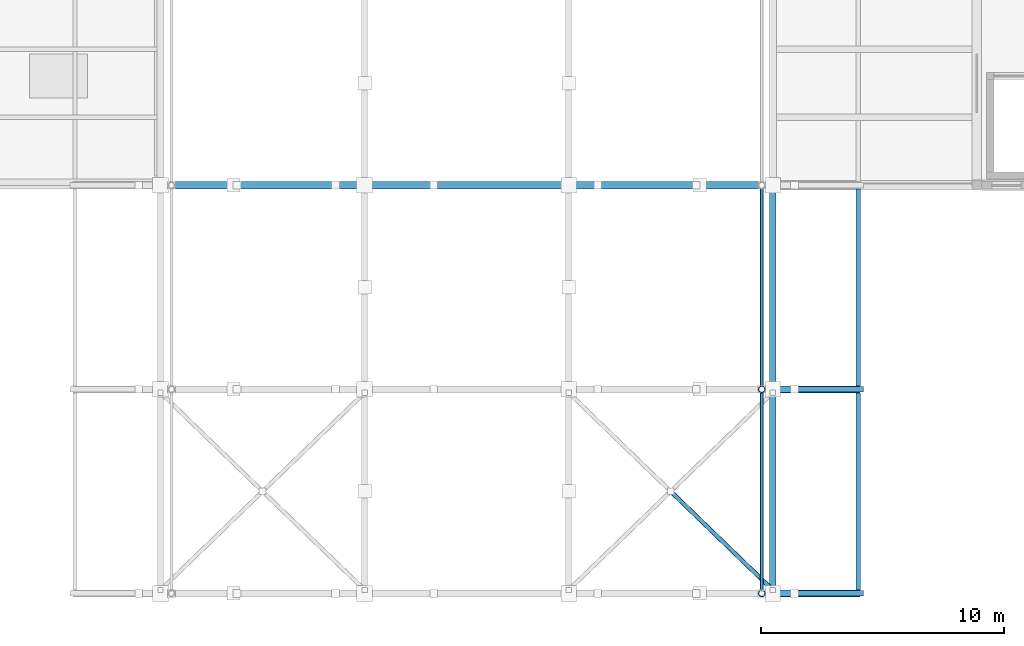
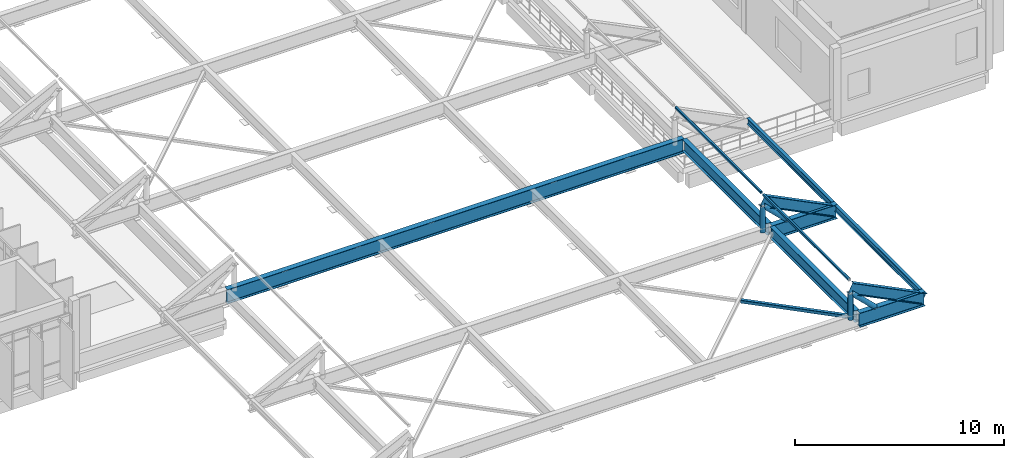
# One storey, part 9 of 41: 9 beams, 7 members.
"""IFC4 building model written with IfcOpenShell, lengths in metres."""

from ifc_helpers import new_model, si_unit, direction, frame, origin, origin_2d, place, context, subcontext, project, spatial, hollow_rectangle, hollow_circle, i_section, extrude, material, material_profile, profile_set, type_object, element, save


model = new_model("IFC4")

# Units and contexts
model_context = context("Model", 3, precision=1e-05, world=origin(), true_north=direction((0.0, 1.0)))
body_context = subcontext(model_context, "Body", "Model", "MODEL_VIEW")
ifc_project = project(units=[si_unit("LENGTHUNIT", "METRE"), si_unit("AREAUNIT", "SQUARE_METRE"), si_unit("VOLUMEUNIT", "CUBIC_METRE"), si_unit("PLANEANGLEUNIT", "RADIAN"), si_unit("MASSUNIT", "GRAM", prefix="KILO")], contexts=[model_context])

# Site, building, storey
site_placement = place(None, origin())
site = spatial("IfcSite", under=ifc_project, at=site_placement, CompositionType="ELEMENT")
building_placement = place(site_placement, origin())
building = spatial("IfcBuilding", under=site, at=building_placement, Name="Vireocrest Preparatory School", CompositionType="ELEMENT")
storey_placement = place(building_placement, frame((0.0, 0.0, 21.60009765625)))
storey = spatial("IfcBuildingStorey", under=building, at=storey_placement, Name="L05", CompositionType="ELEMENT", Elevation=21.60009765625)

# Beams
ifc_material_1 = material(Name="Structural steel ASTM A992 Grade 50", Category="steel")
ifc_material_profile_1 = material_profile(ifc_material_1, i_section(OverallWidth=0.25390625, OverallDepth=0.68408203125, WebThickness=0.012451171875, FlangeThickness=0.018798828125, FilletRadius=0.01806640625, at=origin_2d()), Name="W27X94")
ifc_profile_set_1 = profile_set([ifc_material_profile_1], Name="Structural steel ASTM A992 Grade 50")
beam_type_1 = type_object("IfcBeamType", Name="Bridge Primary Steel Girder W27X94", PredefinedType="BEAM", material=ifc_profile_set_1)
for number, where, z_axis, x_axis, name in (
    (1, (92.39990234375, 27.14404296875, 1.492919921875), (0.0, 1.0, 0.0), (-1.0, 0.0, 0.0), "Canopy Longitudinal Beam EO-1"),
    (2, (92.39990234375, 35.5439453125, 1.492919921875), (0.0, 1.0, 0.0), (-1.0, 0.0, 0.0), "Canopy Longitudinal Beam EO-2"),
):
    element("IfcBeam", number, at=place(storey_placement, frame(where, z_axis=z_axis, x_axis=x_axis)), inside=storey, type_object=beam_type_1, Name=name, PredefinedType="BEAM", context=body_context, shape_type="SweptSolid", body=[
        extrude(i_section(OverallWidth=0.25390625, OverallDepth=0.68408203125, WebThickness=0.012451171875, FlangeThickness=0.018798828125, FilletRadius=0.01806640625, at=origin_2d()), origin(), (0.0, 0.0, 1.0), 8.112060546875),
    ])

# Members
ifc_material_2 = material(Name="Painted white steel ASTM A500 Grade C", Category="steel")
ifc_material_profile_2 = material_profile(ifc_material_2, hollow_rectangle(XDim=0.126953125, YDim=0.126953125, WallThickness=0.0087890625, InnerFilletRadius=0.0087890625, OuterFilletRadius=0.017822265625, at=origin_2d()), Name="HSS5X5X3/8")
ifc_profile_set_2 = profile_set([ifc_material_profile_2], Name="Painted white steel ASTM A500 Grade C")
member_type_1 = type_object("IfcMemberType", Name="Canopy Glass Steel Purlin HSS5X5X3/8", PredefinedType="PURLIN", material=ifc_profile_set_2)
for number, where, z_axis, x_axis, name in (
    (3, (91.949951171875, 27.110107421875, 3.7919921875), (0.0, 1.0, 0.0), (-1.0, 0.0, 0.0), "Canopy Glass Purlin PR2-1-8"),
    (4, (91.949951171875, 35.510009765625, 3.7919921875), (0.0, 1.0, 0.0), (-1.0, 0.0, 0.0), "Canopy Glass Purlin PR2-2-8"),
):
    element("IfcMember", number, at=place(storey_placement, frame(where, z_axis=z_axis, x_axis=x_axis)), inside=storey, type_object=member_type_1, Name=name, PredefinedType="PURLIN", context=body_context, shape_type="SweptSolid", body=[
        extrude(hollow_rectangle(XDim=0.126953125, YDim=0.126953125, WallThickness=0.0087890625, InnerFilletRadius=0.0087890625, OuterFilletRadius=0.017822265625, at=origin_2d()), origin(), (0.0, 0.0, 1.0), 8.179931640625),
    ])
ifc_material_profile_3 = material_profile(ifc_material_2, hollow_rectangle(XDim=0.177734375, YDim=0.177734375, WallThickness=0.0087890625, InnerFilletRadius=0.0087890625, OuterFilletRadius=0.017822265625, at=origin_2d()), Name="HSS7X7X3/8")
ifc_profile_set_3 = profile_set([ifc_material_profile_3], Name="Painted white steel ASTM A500 Grade C")
member_type_2 = type_object("IfcMemberType", Name="Canopy Plane Wind Brace HSS7X7X3/8", PredefinedType="BRACE", material=ifc_profile_set_3)
member_1_placement = place(storey_placement, frame((88.286376953125, 31.11669921875, 1.41748046875), z_axis=(0.71895354767, -0.695058124399, 0.0), x_axis=(0.695058124399, 0.71895354767, 0.0)))
element("IfcMember", 5, at=member_1_placement, inside=storey, type_object=member_type_2, Name="Canopy Split Wind X-Brace BR2-1-E-2", PredefinedType="BRACE", context=body_context, shape_type="SweptSolid", body=[
    extrude(hollow_rectangle(XDim=0.177734375, YDim=0.177734375, WallThickness=0.0087890625, InnerFilletRadius=0.0087890625, OuterFilletRadius=0.017822265625, at=origin_2d()), origin(), (0.0, 0.0, 1.0), 5.721435546875),
])

# Beams
ifc_material_profile_4 = material_profile(ifc_material_1, i_section(OverallWidth=0.2919921875, OverallDepth=0.8349609375, WebThickness=0.013916015625, FlangeThickness=0.018798828125, FilletRadius=0.02001953125, at=origin_2d()), Name="W33X118")
ifc_profile_set_4 = profile_set([ifc_material_profile_4], Name="Structural steel ASTM A992 Grade 50")
beam_type_2 = type_object("IfcBeamType", Name="Central Court Canopy Primary Girder W33X118", PredefinedType="BEAM", material=ifc_profile_set_4)
for number, where, z_axis, x_axis, name in (
    (6, (92.39990234375, 27.0, 1.41748046875), (1.0, 0.0, 0.0), (0.0, 1.0, 0.0), "Central Court Canopy Primary Girder CG1-1E"),
    (7, (92.39990234375, 35.39990234375, 1.41748046875), (1.0, 0.0, 0.0), (0.0, 1.0, 0.0), "Central Court Canopy Primary Girder CG1-2E"),
):
    element("IfcBeam", number, at=place(storey_placement, frame(where, z_axis=z_axis, x_axis=x_axis)), inside=storey, type_object=beam_type_2, Name=name, PredefinedType="BEAM", context=body_context, shape_type="SweptSolid", body=[
        extrude(i_section(OverallWidth=0.2919921875, OverallDepth=0.8349609375, WebThickness=0.013916015625, FlangeThickness=0.018798828125, FilletRadius=0.02001953125, at=origin_2d()), origin(), (0.0, 0.0, 1.0), 3.60009765625),
    ])
beam_placement = place(storey_placement, frame((67.199951171875, 43.800048828125, 1.41748046875), z_axis=(1.0, 0.0, 0.0), x_axis=(0.0, 1.0, 0.0)))
element("IfcBeam", 8, at=beam_placement, inside=storey, type_object=beam_type_2, Name="Central Court Canopy Primary Girder CG1-3C", PredefinedType="BEAM", context=body_context, shape_type="SweptSolid", body=[
    extrude(i_section(OverallWidth=0.2919921875, OverallDepth=0.8349609375, WebThickness=0.013916015625, FlangeThickness=0.018798828125, FilletRadius=0.02001953125, at=origin_2d()), origin(), (0.0, 0.0, 1.0), 25.199951171875),
])
ifc_material_profile_5 = material_profile(ifc_material_1, i_section(OverallWidth=0.22802734375, OverallDepth=0.60302734375, WebThickness=0.010498046875, FlangeThickness=0.014892578125, FilletRadius=0.01611328125, at=origin_2d()), Name="W24X68")
ifc_profile_set_5 = profile_set([ifc_material_profile_5], Name="Structural steel ASTM A992 Grade 50")
beam_type_3 = type_object("IfcBeamType", Name="Dining Pavilion Roof Girder W24X68", PredefinedType="BEAM", material=ifc_profile_set_5)
for number, where, z_axis, x_axis, name in (
    (9, (91.949951171875, 27.0, 3.394287109375), (0.894869090369, 0.0, -0.446328702979), (0.0, 1.0, 0.0), "Canopy Rafter Chord SB4-1-8"),
    (10, (91.949951171875, 35.39990234375, 3.394287109375), (0.894869090369, 0.0, -0.446328702979), (0.0, 1.0, 0.0), "Canopy Rafter Chord SB4-2-8"),
):
    element("IfcBeam", number, at=place(storey_placement, frame(where, z_axis=z_axis, x_axis=x_axis)), inside=storey, type_object=beam_type_3, Name=name, PredefinedType="BEAM", context=body_context, shape_type="SweptSolid", body=[
        extrude(i_section(OverallWidth=0.22802734375, OverallDepth=0.60302734375, WebThickness=0.010498046875, FlangeThickness=0.014892578125, FilletRadius=0.01611328125, at=origin_2d()), origin(), (0.0, 0.0, 1.0), 4.52587890625),
    ])
ifc_material_profile_6 = material_profile(ifc_material_1, i_section(OverallWidth=0.172119140625, OverallDepth=0.35791015625, WebThickness=0.0078125, FlangeThickness=0.01318359375, FilletRadius=0.012939453125, at=origin_2d()), Name="W14X38")
ifc_profile_set_6 = profile_set([ifc_material_profile_6], Name="Structural steel ASTM A992 Grade 50")
beam_type_4 = type_object("IfcBeamType", Name="Entrance Canopy Header Lintel W14X38", PredefinedType="USERDEFINED", material=ifc_profile_set_6)
for number, where, z_axis, x_axis, name in (
    (11, (95.919921875, 27.14404296875, 1.656005859375), (0.0, 1.0, 0.0), (-1.0, 0.0, 0.0), "Canopy Longitudinal Beam ETIP-1"),
    (12, (95.919921875, 35.5439453125, 1.656005859375), (0.0, 1.0, 0.0), (-1.0, 0.0, 0.0), "Canopy Longitudinal Beam ETIP-2"),
):
    element("IfcBeam", number, at=place(storey_placement, frame(where, z_axis=z_axis, x_axis=x_axis)), inside=storey, type_object=beam_type_4, Name=name, ObjectType="LINTEL", PredefinedType="USERDEFINED", context=body_context, shape_type="SweptSolid", body=[
        extrude(i_section(OverallWidth=0.172119140625, OverallDepth=0.35791015625, WebThickness=0.0078125, FlangeThickness=0.01318359375, FilletRadius=0.012939453125, at=origin_2d()), origin(), (0.0, 0.0, 1.0), 8.112060546875),
    ])

# Members
ifc_material_profile_7 = material_profile(ifc_material_2, hollow_circle(Radius=0.136474609375, WallThickness=0.0126953125, at=origin_2d()), Name="HSS10.750X0.500")
ifc_profile_set_7 = profile_set([ifc_material_profile_7], Name="Painted white steel ASTM A500 Grade C")
member_type_3 = type_object("IfcMemberType", Name="White Steel Clerestory Strut HSS10.750X0.500", PredefinedType="USERDEFINED", material=ifc_profile_set_7)
member_2_placement = place(storey_placement, frame((91.949951171875, 27.0, 1.577392578125), z_axis=(0.0, 0.0, 1.0), x_axis=(1.0, 0.0, 0.0)))
element("IfcMember", 13, at=member_2_placement, inside=storey, type_object=member_type_3, Name="Canopy Truss Web Vertical VS3-1-8", ObjectType="STRUT", PredefinedType="USERDEFINED", context=body_context, shape_type="SweptSolid", body=[
    extrude(hollow_circle(Radius=0.136474609375, WallThickness=0.0126953125, at=origin_2d()), origin(), (0.0, 0.0, 1.0), 1.54052734375),
])
member_3_placement = place(storey_placement, frame((93.300048828125, 27.0, 1.81494140625), z_axis=(-0.719551659837, 0.0, 0.694438916555), x_axis=(0.0, -1.0, 0.0)))
element("IfcMember", 14, at=member_3_placement, inside=storey, type_object=member_type_3, Name="Canopy Truss Web Strut VS3-1-7", ObjectType="STRUT", PredefinedType="USERDEFINED", context=body_context, shape_type="SweptSolid", body=[
    extrude(hollow_circle(Radius=0.136474609375, WallThickness=0.0126953125, at=origin_2d()), origin(), (0.0, 0.0, 1.0), 1.876220703125),
])
member_4_placement = place(storey_placement, frame((91.949951171875, 35.39990234375, 1.577392578125), z_axis=(0.0, 0.0, 1.0), x_axis=(1.0, 0.0, 0.0)))
element("IfcMember", 15, at=member_4_placement, inside=storey, type_object=member_type_3, Name="Canopy Truss Web Vertical VS3-2-8", ObjectType="STRUT", PredefinedType="USERDEFINED", context=body_context, shape_type="SweptSolid", body=[
    extrude(hollow_circle(Radius=0.136474609375, WallThickness=0.0126953125, at=origin_2d()), origin(), (0.0, 0.0, 1.0), 1.54052734375),
])
member_5_placement = place(storey_placement, frame((93.300048828125, 35.39990234375, 1.81494140625), z_axis=(-0.719551659837, 0.0, 0.694438916555), x_axis=(0.0, -1.0, 0.0)))
element("IfcMember", 16, at=member_5_placement, inside=storey, type_object=member_type_3, Name="Canopy Truss Web Strut VS3-2-7", ObjectType="STRUT", PredefinedType="USERDEFINED", context=body_context, shape_type="SweptSolid", body=[
    extrude(hollow_circle(Radius=0.136474609375, WallThickness=0.0126953125, at=origin_2d()), origin(), (0.0, 0.0, 1.0), 1.876220703125),
])

save(model, "model.ifc")
